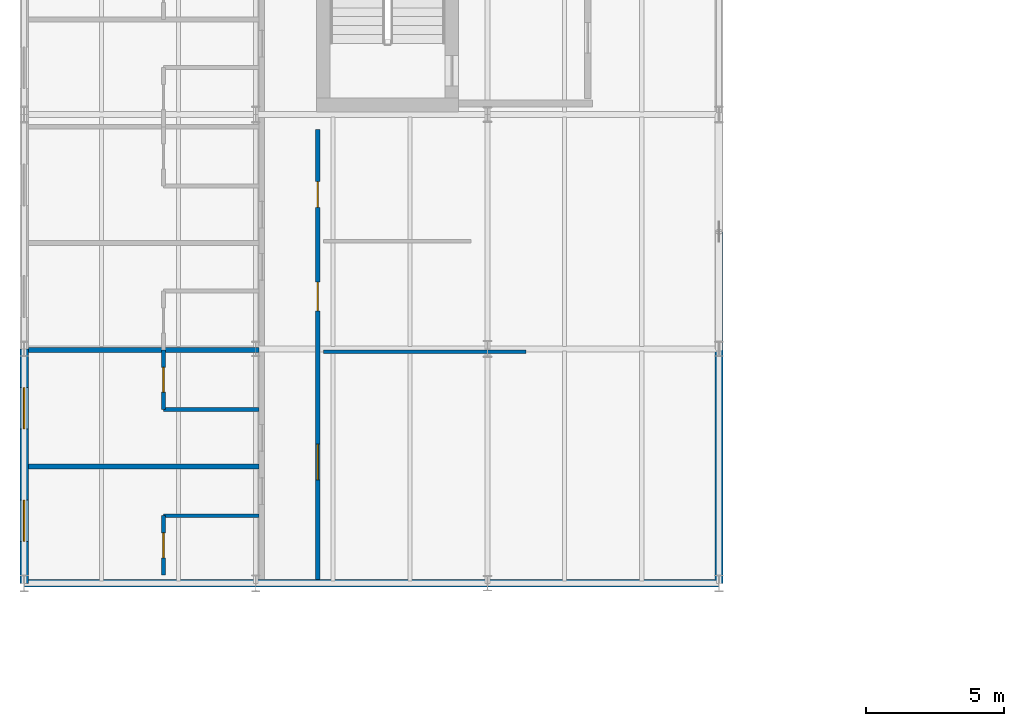
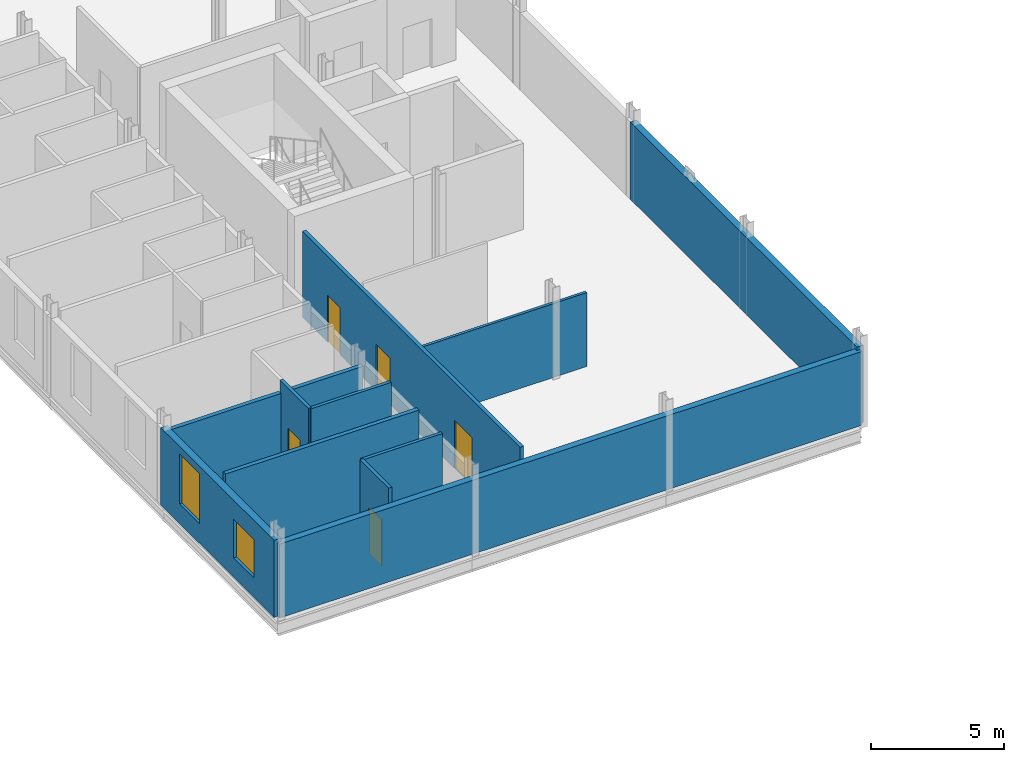
# One storey, part 29 of 45: 11 walls, 5 doors, 2 windows, 7 openings.
"""IFC4 building model written with IfcOpenShell, lengths in metres."""

import ifcopenshell
import ifcopenshell.guid

model = None  # the IFC model being written
_history = None  # IfcOwnerHistory: only IFC2X3 demands one
_inside = {}  # id of a spatial element -> (the spatial element, [elements in it])
_under = {}  # id of a project, library or spatial element -> (it, [spatial elements below it])
_declared = {}  # id of a project -> (the project, [libraries it declares])
_typed = {}  # id of a type object -> (the type object, [elements of that type])
_made_of = {}  # id of a material, layer set ... -> (it, [elements and type objects made of it])


def new_model(schema):
    """Start an empty IFC model of exactly this schema.

    Asked for "IFC4X3", IfcOpenShell would pick the latest addendum, in which some entities
    have other attributes; the version numbers below select the first issue.
    IFC2X3 requires an IfcOwnerHistory on every rooted entity: one is made here for all.
    """
    global model, _history
    if schema == "IFC4X3":
        model = ifcopenshell.file(schema_version=(4, 3, 0, 0))
    else:
        model = ifcopenshell.file(schema=schema)
    _inside.clear()
    _under.clear()
    _declared.clear()
    _typed.clear()
    _made_of.clear()
    _history = None
    if model.schema == "IFC2X3":
        org = make("IfcOrganization", Name="unknown")
        user = make(
            "IfcPersonAndOrganization",
            ThePerson=make("IfcPerson", FamilyName="unknown"),
            TheOrganization=org,
        )
        app = make(
            "IfcApplication",
            ApplicationDeveloper=org,
            Version="unknown",
            ApplicationFullName="unknown",
            ApplicationIdentifier="unknown",
        )
        _history = make(
            "IfcOwnerHistory",
            OwningUser=user,
            OwningApplication=app,
            ChangeAction="ADDED",
            CreationDate=0,
        )
    return model


def make(cls, **values):
    """One entity of the class cls with the attributes given. An attribute that is None is left unset."""
    return model.create_entity(
        cls, **{name: value for name, value in values.items() if value is not None}
    )


def rooted(cls, **values):
    """An entity with a GlobalId (a new one), such as an element, a storey or a relation."""
    return make(cls, GlobalId=ifcopenshell.guid.new(), OwnerHistory=_history, **values)


def si_unit(unit_type, name, prefix=None):
    """IfcSIUnit, for example si_unit("LENGTHUNIT", "METRE", prefix="MILLI")."""
    return make("IfcSIUnit", UnitType=unit_type, Prefix=prefix, Name=name)


def assignment(units):
    """IfcUnitAssignment: the units of a project."""
    return None if units is None else make("IfcUnitAssignment", Units=units)


def point(xyz):
    """IfcCartesianPoint."""
    return None if xyz is None else make("IfcCartesianPoint", Coordinates=xyz)


def direction(xyz):
    """IfcDirection."""
    return None if xyz is None else make("IfcDirection", DirectionRatios=xyz)


def frame(location, z_axis=None, x_axis=None):
    """IfcAxis2Placement3D, a coordinate frame: its origin and axes. An axis left out is left unset."""
    return make(
        "IfcAxis2Placement3D",
        Location=point(location),
        Axis=direction(z_axis),
        RefDirection=direction(x_axis),
    )


def frame_2d(location, x_axis=None):
    """IfcAxis2Placement2D, a coordinate frame in the plane: its origin and x axis."""
    return make(
        "IfcAxis2Placement2D", Location=point(location), RefDirection=direction(x_axis)
    )


def origin():
    """The frame at (0, 0, 0) with its axes left unset."""
    return frame((0.0, 0.0, 0.0))


def place(relative_to, where):
    """IfcLocalPlacement: puts the frame where relative to a parent placement (None: the world)."""
    return make(
        "IfcLocalPlacement", PlacementRelTo=relative_to, RelativePlacement=where
    )


def context(
    kind, dimensions, precision=None, world=None, true_north=None, identifier=None
):
    """IfcGeometricRepresentationContext, for example the 3D "Model" context."""
    return make(
        "IfcGeometricRepresentationContext",
        ContextIdentifier=identifier,
        ContextType=kind,
        CoordinateSpaceDimension=dimensions,
        Precision=precision,
        WorldCoordinateSystem=world,
        TrueNorth=true_north,
    )


def subcontext(parent, identifier, kind, view, scale=None):
    """IfcGeometricRepresentationSubContext, for example "Body" below "Model"."""
    return make(
        "IfcGeometricRepresentationSubContext",
        ContextIdentifier=identifier,
        ContextType=kind,
        ParentContext=parent,
        TargetScale=scale,
        TargetView=view,
    )


def project(units=None, contexts=None):
    """IfcProject with its units and contexts."""
    return rooted(
        "IfcProject",
        Name="project",
        RepresentationContexts=contexts,
        UnitsInContext=assignment(units),
    )


def spatial(cls, under=None, at=None, **own):
    """A site, building, storey or space (cls), placed at a placement, below another one or the project."""
    s = rooted(cls, ObjectPlacement=at, **own)
    if under is not None:
        _under.setdefault(under.id(), (under, []))[1].append(s)
    return s


def profile(cls, at=None, kind="AREA", **sizes):
    """A parametric profile (cls). Its sizes go by their IFC names, for example OverallWidth=200.0."""
    return make(cls, ProfileType=kind, Position=at, **sizes)


def rectangle(**sizes):
    """IfcRectangleProfileDef."""
    return profile("IfcRectangleProfileDef", **sizes)


def extrude(swept, where, along, depth):
    """IfcExtrudedAreaSolid: the profile swept, set in the frame where, extruded along a direction by depth."""
    return make(
        "IfcExtrudedAreaSolid",
        SweptArea=swept,
        Position=where,
        ExtrudedDirection=direction(along),
        Depth=depth,
    )


def shape(context_of_items, identifier, shape_type, items):
    """IfcShapeRepresentation: the items that make up one representation, for example the "Body"."""
    return make(
        "IfcShapeRepresentation",
        ContextOfItems=context_of_items,
        RepresentationIdentifier=identifier,
        RepresentationType=shape_type,
        Items=items,
    )


def material(Name=None, Category=None):
    """IfcMaterial."""
    return make("IfcMaterial", Name=Name, Category=Category)


def layer(
    of_material, thickness, ventilated=None, Name=None, Category=None, Priority=None
):
    """IfcMaterialLayer: one layer of a wall or slab, of a material (None: an air gap)."""
    return make(
        "IfcMaterialLayer",
        Material=of_material,
        LayerThickness=thickness,
        IsVentilated=ventilated,
        Name=Name,
        Category=Category,
        Priority=Priority,
    )


def layer_set(layers, Name=None):
    """IfcMaterialLayerSet."""
    return make("IfcMaterialLayerSet", MaterialLayers=layers, LayerSetName=Name)


def made_of(thing, what):
    """Note that an element or type object is made of a material, layer set ...; save() writes the relation."""
    if what is not None:
        _made_of.setdefault(what.id(), (what, []))[1].append(thing)
    return thing


def type_object(cls, material=None, **own):
    """A type object (cls), such as IfcWallType, which elements share."""
    return made_of(rooted(cls, **own), material)


def element(
    cls,
    number,
    at=None,
    inside=None,
    cuts=None,
    type_object=None,
    material=None,
    context=None,
    identifier="Body",
    shape_type=None,
    held_by="IfcProductDefinitionShape",
    body=None,
    shapes=None,
    **own,
):
    """One element of the class cls, such as IfcWall. Its Tag is "e" and its number.

    at: its placement. inside: the storey or other place that contains it. cuts: it is an
    opening in that element (IfcRelVoidsElement). A single representation is given by context,
    identifier, shape_type and body (its items); several are given by shapes. held_by: the class
    of the entity that holds the representations. save() writes the other relations.
    """
    e = rooted(cls, Tag="e%d" % number, ObjectPlacement=at, **own)
    if body is not None:
        shapes = [shape(context, identifier, shape_type, body)]
    if shapes is not None:
        e.Representation = make(held_by, Representations=shapes)
    if inside is not None:
        _inside.setdefault(inside.id(), (inside, []))[1].append(e)
    if cuts is not None:
        rooted(
            "IfcRelVoidsElement", RelatingBuildingElement=cuts, RelatedOpeningElement=e
        )
    if type_object is not None:
        _typed.setdefault(type_object.id(), (type_object, []))[1].append(e)
    return made_of(e, material)


def fill(opening, filler):
    """IfcRelFillsElement: the door or window that sits in an opening."""
    return rooted(
        "IfcRelFillsElement",
        RelatingOpeningElement=opening,
        RelatedBuildingElement=filler,
    )


def aggregate(whole, parts):
    """IfcRelAggregates: a whole, such as a stair, and the parts it consists of."""
    return rooted("IfcRelAggregates", RelatingObject=whole, RelatedObjects=parts)


def save(model, path):
    """Write the relations noted so far, then the file.

    IfcRelAggregates (storeys below a building ...), IfcRelContainedInSpatialStructure (elements
    in a storey), IfcRelDefinesByType, IfcRelAssociatesMaterial and IfcRelDeclares: one each for
    every whole, place, type object, material and project.
    """
    for whole, parts in _under.values():
        aggregate(whole, parts)
    for where, things in _inside.values():
        rooted(
            "IfcRelContainedInSpatialStructure",
            RelatedElements=things,
            RelatingStructure=where,
        )
    for kind, things in _typed.values():
        rooted("IfcRelDefinesByType", RelatedObjects=things, RelatingType=kind)
    for what, things in _made_of.values():
        rooted("IfcRelAssociatesMaterial", RelatedObjects=things, RelatingMaterial=what)
    for by, libraries in _declared.values():
        rooted("IfcRelDeclares", RelatingContext=by, RelatedDefinitions=libraries)
    model.write(path)


model = new_model("IFC4")

# Units and contexts
model_context = context("Model", 3, precision=1e-05, world=origin(), true_north=direction((0.0, 1.0)))
body_context = subcontext(model_context, "Body", "Model", "MODEL_VIEW")
ifc_project = project(units=[si_unit("LENGTHUNIT", "METRE"), si_unit("AREAUNIT", "SQUARE_METRE"), si_unit("VOLUMEUNIT", "CUBIC_METRE"), si_unit("PLANEANGLEUNIT", "RADIAN"), si_unit("MASSUNIT", "GRAM", prefix="KILO")], contexts=[model_context])

# Site, building, storey
site_placement = place(None, origin())
site = spatial("IfcSite", under=ifc_project, at=site_placement, CompositionType="ELEMENT")
building_placement = place(site_placement, origin())
building = spatial("IfcBuilding", under=site, at=building_placement, Name="Sefraquen Railside Congress Hotel", CompositionType="ELEMENT")
storey_placement = place(building_placement, frame((0.0, 0.0, 20.39990234375)))
storey = spatial("IfcBuildingStorey", under=building, at=storey_placement, Name="L04", CompositionType="ELEMENT", Elevation=20.39990234375)

# Walls
ifc_material_1 = material(Name="Ochre Rabat calcarenite limestone and Concrete C40/50 backing", Category="masonry")
ifc_layer_1 = layer(ifc_material_1, 0.280029296875)
ifc_layer_set_1 = layer_set([ifc_layer_1], Name="Ochre Rabat calcarenite limestone and Concrete C40/50 backing")
wall_type_1 = type_object("IfcWallType", Name="TW-EW-280", PredefinedType="STANDARD", material=ifc_layer_set_1)
wall_1_placement = place(storey_placement, frame((0.0, 62.5, 0.0), z_axis=(0.0, 0.0, 1.0), x_axis=(1.0, 0.0, 0.0)))
element("IfcWall", 1, at=wall_1_placement, inside=storey, type_object=wall_type_1, Name="Hotel L04 south-west return wall", PredefinedType="STANDARD", context=body_context, shape_type="SweptSolid", body=[
    extrude(rectangle(XDim=25.199951171875, YDim=0.280029296875, at=frame_2d((12.60009765625, 0.0))), origin(), (0.0, 0.0, 1.0), 3.380126953125),
])
wall_2_placement = place(storey_placement, frame((25.199951171875, 62.5, 0.0), z_axis=(0.0, 0.0, 1.0), x_axis=(0.0, 1.0, 0.0)))
element("IfcWall", 2, at=wall_2_placement, inside=storey, type_object=wall_type_1, Name="Hotel L04 courtyard return wall", PredefinedType="STANDARD", context=body_context, shape_type="SweptSolid", body=[
    extrude(rectangle(XDim=17.0, YDim=0.280029296875, at=frame_2d((8.5, 0.0))), origin(), (0.0, 0.0, 1.0), 3.530029296875),
])

# Wall, openings, windows
ifc_layer_2 = layer(ifc_material_1, 0.300048828125)
ifc_layer_set_2 = layer_set([ifc_layer_2], Name="Ochre Rabat calcarenite limestone and Concrete C40/50 backing")
wall_type_2 = type_object("IfcWallType", Name="TW-EW-300", PredefinedType="STANDARD", material=ifc_layer_set_2)
wall_3_placement = place(storey_placement, frame((0.0, 62.5, 0.0), z_axis=(0.0, 0.0, 1.0), x_axis=(0.0, 1.0, 0.0)))
wall_3 = element("IfcWall", 3, at=wall_3_placement, inside=storey, type_object=wall_type_2, Name="Hotel L04 West Forecourt facade wall", PredefinedType="STANDARD", context=body_context, shape_type="SweptSolid", body=[
    extrude(rectangle(XDim=8.5, YDim=0.300048828125, at=frame_2d((4.25, 0.0))), origin(), (0.0, 0.0, 1.0), 3.530029296875),
])
opening_1_placement = place(wall_3_placement, frame((1.51904296875, 0.0, 0.89990234375)))
opening_1 = element("IfcOpeningElement", 4, at=opening_1_placement, cuts=wall_3, Name="Opening WN-24", PredefinedType="OPENING", context=body_context, shape_type="SweptSolid", body=[
    extrude(rectangle(XDim=1.5, YDim=1.75, at=frame_2d((0.75, 0.875))), frame((0.0, 0.159912109375, 0.0), z_axis=(0.0, -1.0, 0.0), x_axis=(1.0, 0.0, 0.0)), (0.0, 0.0, 1.0), 0.320068359375),
])
opening_2_placement = place(wall_3_placement, frame((5.596923828125, 0.0, 0.89990234375)))
opening_2 = element("IfcOpeningElement", 5, at=opening_2_placement, cuts=wall_3, Name="Opening WN-25", PredefinedType="OPENING", context=body_context, shape_type="SweptSolid", body=[
    extrude(rectangle(XDim=1.5, YDim=2.300048828125, at=frame_2d((0.75, 1.14990234375))), frame((0.0, 0.159912109375, 0.0), z_axis=(0.0, -1.0, 0.0), x_axis=(1.0, 0.0, 0.0)), (0.0, 0.0, 1.0), 0.320068359375),
])
ifc_material_2 = material(Name="Solar-control low-E double glazing in bronze-anodised frame", Category="glass")
window_type_1 = type_object("IfcWindowType", Name="TWN-W-24", PartitioningType="DOUBLE_PANEL_VERTICAL", PredefinedType="WINDOW", material=ifc_material_2)
window_1_placement = place(opening_1_placement, origin())
window_1 = element("IfcWindow", 6, at=window_1_placement, inside=storey, type_object=window_type_1, Name="Guest room west window SP-L04-RM-024", OverallHeight=1.75, OverallWidth=1.5, PartitioningType="DOUBLE_PANEL_VERTICAL", PredefinedType="WINDOW", context=body_context, shape_type="SweptSolid", body=[
    extrude(rectangle(XDim=1.5, YDim=1.75, at=frame_2d((0.75, 0.875))), frame((0.0, 0.030029296875, 0.0), z_axis=(0.0, -1.0, 0.0), x_axis=(1.0, 0.0, 0.0)), (0.0, 0.0, 1.0), 0.06005859375),
])
fill(opening_1, window_1)
window_type_2 = type_object("IfcWindowType", Name="TWN-W-25", PartitioningType="DOUBLE_PANEL_VERTICAL", PredefinedType="WINDOW", material=ifc_material_2)
window_2_placement = place(opening_2_placement, origin())
window_2 = element("IfcWindow", 7, at=window_2_placement, inside=storey, type_object=window_type_2, Name="Guest room west window SP-L04-RM-025", OverallHeight=2.300048828125, OverallWidth=1.5, PartitioningType="DOUBLE_PANEL_VERTICAL", PredefinedType="WINDOW", context=body_context, shape_type="SweptSolid", body=[
    extrude(rectangle(XDim=1.5, YDim=2.300048828125, at=frame_2d((0.75, 1.14990234375))), frame((0.0, 0.030029296875, 0.0), z_axis=(0.0, -1.0, 0.0), x_axis=(1.0, 0.0, 0.0)), (0.0, 0.0, 1.0), 0.06005859375),
])
fill(opening_2, window_2)

# Walls
ifc_material_3 = material(Name="Gypsum board on metal stud", Category="gypsum")
ifc_layer_3 = layer(ifc_material_3, 0.1201171875)
ifc_layer_set_3 = layer_set([ifc_layer_3], Name="Gypsum board on metal stud")
wall_type_3 = type_object("IfcWallType", Name="TW-PW-120", PredefinedType="PARTITIONING", material=ifc_layer_set_3)
wall_4_placement = place(storey_placement, frame((10.85009765625, 70.89990234375, 0.0), z_axis=(0.0, 0.0, 1.0), x_axis=(1.0, 0.0, 0.0)))
element("IfcWall", 8, at=wall_4_placement, inside=storey, type_object=wall_type_3, Name="Lounge-pantry divider L04", PredefinedType="PARTITIONING", context=body_context, shape_type="SweptSolid", body=[
    extrude(rectangle(XDim=7.349853515625, YDim=0.1201171875, at=frame_2d((3.6748046875, 0.0))), origin(), (0.0, 0.0, 1.0), 3.380126953125),
])
ifc_material_4 = material(Name="Moisture-resistant gypsum board", Category="gypsum")
ifc_layer_4 = layer(ifc_material_4, 0.139892578125)
ifc_layer_set_4 = layer_set([ifc_layer_4], Name="Moisture-resistant gypsum board")
wall_type_4 = type_object("IfcWallType", Name="TW-PW-140", PredefinedType="PARTITIONING", material=ifc_layer_set_4)
wall_5_placement = place(storey_placement, frame((5.050048828125, 64.949951171875, 0.0), z_axis=(0.0, 0.0, 1.0), x_axis=(1.0, 0.0, 0.0)))
element("IfcWall", 9, at=wall_5_placement, inside=storey, type_object=wall_type_4, Name="West en-suite bathroom north wall RM-024", PredefinedType="PARTITIONING", context=body_context, shape_type="SweptSolid", body=[
    extrude(rectangle(XDim=3.469970703125, YDim=0.139892578125, at=frame_2d((1.73486328125, 0.0))), origin(), (0.0, 0.0, 1.0), 3.940185546875),
])

# Wall, opening, door
wall_6_placement = place(storey_placement, frame((5.050048828125, 62.800048828125, 0.0), z_axis=(0.0, 0.0, 1.0), x_axis=(0.0, 1.0, 0.0)))
wall_6 = element("IfcWall", 10, at=wall_6_placement, inside=storey, type_object=wall_type_4, Name="West en-suite bathroom west wall RM-024", PredefinedType="PARTITIONING", context=body_context, shape_type="SweptSolid", body=[
    extrude(rectangle(XDim=2.14990234375, YDim=0.139892578125, at=frame_2d((1.074951171875, 0.0))), origin(), (0.0, 0.0, 1.0), 3.940185546875),
])
opening_3_placement = place(wall_6_placement, frame((0.625, 0.0, 0.0)))
opening_3 = element("IfcOpeningElement", 11, at=opening_3_placement, cuts=wall_6, Name="Opening ID-02", PredefinedType="OPENING", context=body_context, shape_type="SweptSolid", body=[
    extrude(rectangle(XDim=0.89990234375, YDim=2.10009765625, at=frame_2d((0.449951171875, 1.050048828125))), frame((0.0, 0.079833984375, 0.0), z_axis=(0.0, -1.0, 0.0), x_axis=(1.0, 0.0, 0.0)), (0.0, 0.0, 1.0), 0.159912109375),
])
ifc_material_5 = material(Name="Lacquered cedar joinery", Category="wood")
door_type_1 = type_object("IfcDoorType", Name="TD-ID-02", OperationType="NOTDEFINED", PredefinedType="DOOR", material=ifc_material_5)
door_1_placement = place(opening_3_placement, frame((0.89990234375, 0.0, 0.0), z_axis=(0.0, 0.0, 1.0), x_axis=(-1.0, 0.0, 0.0)))
door_1 = element("IfcDoor", 12, at=door_1_placement, inside=storey, type_object=door_type_1, Name="En-suite bathroom door RM-024", OperationType="SINGLE_SWING_RIGHT", OverallHeight=2.10009765625, OverallWidth=0.89990234375, PredefinedType="DOOR", context=body_context, shape_type="SweptSolid", body=[
    extrude(rectangle(XDim=0.89990234375, YDim=2.10009765625, at=frame_2d((0.449951171875, 1.050048828125))), frame((0.0, 0.02490234375, 0.0), z_axis=(0.0, -1.0, 0.0), x_axis=(1.0, 0.0, 0.0)), (0.0, 0.0, 1.0), 0.050048828125),
])
fill(opening_3, door_1)

# Wall
wall_7_placement = place(storey_placement, frame((5.050048828125, 68.805908203125, 0.0), z_axis=(0.0, 0.0, 1.0), x_axis=(1.0, 0.0, 0.0)))
element("IfcWall", 13, at=wall_7_placement, inside=storey, type_object=wall_type_4, Name="West en-suite bathroom south wall RM-025", PredefinedType="PARTITIONING", context=body_context, shape_type="SweptSolid", body=[
    extrude(rectangle(XDim=3.469970703125, YDim=0.139892578125, at=frame_2d((1.73486328125, 0.0))), origin(), (0.0, 0.0, 1.0), 3.940185546875),
])

# Wall, opening, door
wall_8_placement = place(storey_placement, frame((5.050048828125, 68.805908203125, 0.0), z_axis=(0.0, 0.0, 1.0), x_axis=(0.0, 1.0, 0.0)))
wall_8 = element("IfcWall", 14, at=wall_8_placement, inside=storey, type_object=wall_type_4, Name="West en-suite bathroom west wall RM-025", PredefinedType="PARTITIONING", context=body_context, shape_type="SweptSolid", body=[
    extrude(rectangle(XDim=2.150146484375, YDim=0.139892578125, at=frame_2d((1.0751953125, 0.0))), origin(), (0.0, 0.0, 1.0), 3.940185546875),
])
opening_4_placement = place(wall_8_placement, frame((0.625, 0.0, 0.0)))
opening_4 = element("IfcOpeningElement", 15, at=opening_4_placement, cuts=wall_8, Name="Opening ID-02", PredefinedType="OPENING", context=body_context, shape_type="SweptSolid", body=[
    extrude(rectangle(XDim=0.89990234375, YDim=2.10009765625, at=frame_2d((0.449951171875, 1.050048828125))), frame((0.0, 0.079833984375, 0.0), z_axis=(0.0, -1.0, 0.0), x_axis=(1.0, 0.0, 0.0)), (0.0, 0.0, 1.0), 0.159912109375),
])
door_2_placement = place(opening_4_placement, frame((0.89990234375, 0.0, 0.0), z_axis=(0.0, 0.0, 1.0), x_axis=(-1.0, 0.0, 0.0)))
door_2 = element("IfcDoor", 16, at=door_2_placement, inside=storey, type_object=door_type_1, Name="En-suite bathroom door RM-025", OperationType="SINGLE_SWING_RIGHT", OverallHeight=2.10009765625, OverallWidth=0.89990234375, PredefinedType="DOOR", context=body_context, shape_type="SweptSolid", body=[
    extrude(rectangle(XDim=0.89990234375, YDim=2.10009765625, at=frame_2d((0.449951171875, 1.050048828125))), frame((0.0, 0.02490234375, 0.0), z_axis=(0.0, -1.0, 0.0), x_axis=(1.0, 0.0, 0.0)), (0.0, 0.0, 1.0), 0.050048828125),
])
fill(opening_4, door_2)

# Wall, openings, doors
ifc_layer_5 = layer(ifc_material_4, 0.159912109375)
ifc_layer_set_5 = layer_set([ifc_layer_5], Name="Moisture-resistant gypsum board")
wall_type_5 = type_object("IfcWallType", Name="TW-PW-160", PredefinedType="PARTITIONING", material=ifc_layer_set_5)
wall_9_placement = place(storey_placement, frame((10.64990234375, 62.639892578125, 0.0), z_axis=(0.0, 0.0, 1.0), x_axis=(0.0, 1.0, 0.0)))
wall_9 = element("IfcWall", 17, at=wall_9_placement, inside=storey, type_object=wall_type_5, Name="Hotel L04 west-return corridor E1 partition", PredefinedType="PARTITIONING", context=body_context, shape_type="SweptSolid", body=[
    extrude(rectangle(XDim=16.31005859375, YDim=0.159912109375, at=frame_2d((8.155029296875, 0.0))), origin(), (0.0, 0.0, 1.0), 3.940185546875),
])
opening_5_placement = place(wall_9_placement, frame((3.610107421875, 0.0, 0.0)))
opening_5 = element("IfcOpeningElement", 18, at=opening_5_placement, cuts=wall_9, Name="Opening MD-02", PredefinedType="OPENING", context=body_context, shape_type="SweptSolid", body=[
    extrude(rectangle(XDim=1.300048828125, YDim=2.199951171875, at=frame_2d((0.64990234375, 1.10009765625))), frame((0.0, 0.08984375, 0.0), z_axis=(0.0, -1.0, 0.0), x_axis=(1.0, 0.0, 0.0)), (0.0, 0.0, 1.0), 0.179931640625),
])
opening_6_placement = place(wall_9_placement, frame((9.735107421875, 0.0, 0.0)))
opening_6 = element("IfcOpeningElement", 19, at=opening_6_placement, cuts=wall_9, Name="Opening ID-04", PredefinedType="OPENING", context=body_context, shape_type="SweptSolid", body=[
    extrude(rectangle(XDim=1.050048828125, YDim=2.1201171875, at=frame_2d((0.52490234375, 1.06005859375))), frame((0.0, 0.08984375, 0.0), z_axis=(0.0, -1.0, 0.0), x_axis=(1.0, 0.0, 0.0)), (0.0, 0.0, 1.0), 0.179931640625),
])
opening_7_placement = place(wall_9_placement, frame((13.489990234375, 0.0, 0.0)))
opening_7 = element("IfcOpeningElement", 20, at=opening_7_placement, cuts=wall_9, Name="Opening ID-01", PredefinedType="OPENING", context=body_context, shape_type="SweptSolid", body=[
    extrude(rectangle(XDim=0.93994140625, YDim=2.14990234375, at=frame_2d((0.469970703125, 1.074951171875))), frame((0.0, 0.08984375, 0.0), z_axis=(0.0, -1.0, 0.0), x_axis=(1.0, 0.0, 0.0)), (0.0, 0.0, 1.0), 0.179931640625),
])
door_type_2 = type_object("IfcDoorType", Name="TD-ID-01", OperationType="NOTDEFINED", PredefinedType="DOOR", material=ifc_material_5)
door_3_placement = place(opening_7_placement, origin())
door_3 = element("IfcDoor", 21, at=door_3_placement, inside=storey, type_object=door_type_2, Name="Hotel floor Accessible WC door L04", OperationType="SINGLE_SWING_RIGHT", OverallHeight=2.14990234375, OverallWidth=0.93994140625, PredefinedType="DOOR", context=body_context, shape_type="SweptSolid", body=[
    extrude(rectangle(XDim=0.93994140625, YDim=2.14990234375, at=frame_2d((0.469970703125, 1.074951171875))), frame((0.0, 0.02490234375, 0.0), z_axis=(0.0, -1.0, 0.0), x_axis=(1.0, 0.0, 0.0)), (0.0, 0.0, 1.0), 0.050048828125),
])
fill(opening_7, door_3)
ifc_material_6 = material(Name="Painted timber", Category="wood")
door_type_3 = type_object("IfcDoorType", Name="TD-ID-04", OperationType="NOTDEFINED", PredefinedType="DOOR", material=ifc_material_6)
door_4_placement = place(opening_6_placement, origin())
door_4 = element("IfcDoor", 22, at=door_4_placement, inside=storey, type_object=door_type_3, Name="Housekeeping pantry door L04", OperationType="SINGLE_SWING_LEFT", OverallHeight=2.1201171875, OverallWidth=1.050048828125, PredefinedType="DOOR", context=body_context, shape_type="SweptSolid", body=[
    extrude(rectangle(XDim=1.050048828125, YDim=2.1201171875, at=frame_2d((0.52490234375, 1.06005859375))), frame((0.0, 0.02490234375, 0.0), z_axis=(0.0, -1.0, 0.0), x_axis=(1.0, 0.0, 0.0)), (0.0, 0.0, 1.0), 0.050048828125),
])
fill(opening_6, door_4)
ifc_material_7 = material(Name="Acoustic cedar veneer", Category="wood")
door_type_4 = type_object("IfcDoorType", Name="TD-MD-02", OperationType="NOTDEFINED", PredefinedType="DOOR", material=ifc_material_7)
door_5_placement = place(opening_5_placement, origin())
door_5 = element("IfcDoor", 23, at=door_5_placement, inside=storey, type_object=door_type_4, Name="Floor hospitality salon door L04", OperationType="SINGLE_SWING_RIGHT", OverallHeight=2.199951171875, OverallWidth=1.300048828125, PredefinedType="DOOR", context=body_context, shape_type="SweptSolid", body=[
    extrude(rectangle(XDim=1.300048828125, YDim=2.199951171875, at=frame_2d((0.64990234375, 1.10009765625))), frame((0.0, 0.02490234375, 0.0), z_axis=(0.0, -1.0, 0.0), x_axis=(1.0, 0.0, 0.0)), (0.0, 0.0, 1.0), 0.050048828125),
])
fill(opening_5, door_5)

# Walls
ifc_material_8 = material(Name="Acoustic gypsum board on metal stud", Category="gypsum")
ifc_layer_6 = layer(ifc_material_8, 0.179931640625)
ifc_layer_set_6 = layer_set([ifc_layer_6], Name="Acoustic gypsum board on metal stud")
wall_type_6 = type_object("IfcWallType", Name="TW-PW-180", PredefinedType="PARTITIONING", material=ifc_layer_set_6)
wall_10_placement = place(storey_placement, frame((0.14990234375, 66.738037109375, 0.0), z_axis=(0.0, 0.0, 1.0), x_axis=(1.0, 0.0, 0.0)))
element("IfcWall", 24, at=wall_10_placement, inside=storey, type_object=wall_type_6, Name="West return guest room demising wall RM-024", PredefinedType="PARTITIONING", context=body_context, shape_type="SweptSolid", body=[
    extrude(rectangle(XDim=8.3701171875, YDim=0.179931640625, at=frame_2d((4.18505859375, 0.0))), origin(), (0.0, 0.0, 1.0), 3.940185546875),
])
wall_11_placement = place(storey_placement, frame((0.14990234375, 70.9560546875, 0.0), z_axis=(0.0, 0.0, 1.0), x_axis=(1.0, 0.0, 0.0)))
element("IfcWall", 25, at=wall_11_placement, inside=storey, type_object=wall_type_6, Name="West return guest room demising wall RM-025", PredefinedType="PARTITIONING", context=body_context, shape_type="SweptSolid", body=[
    extrude(rectangle(XDim=8.3701171875, YDim=0.179931640625, at=frame_2d((4.18505859375, 0.0))), origin(), (0.0, 0.0, 1.0), 3.380126953125),
])

save(model, "model.ifc")
